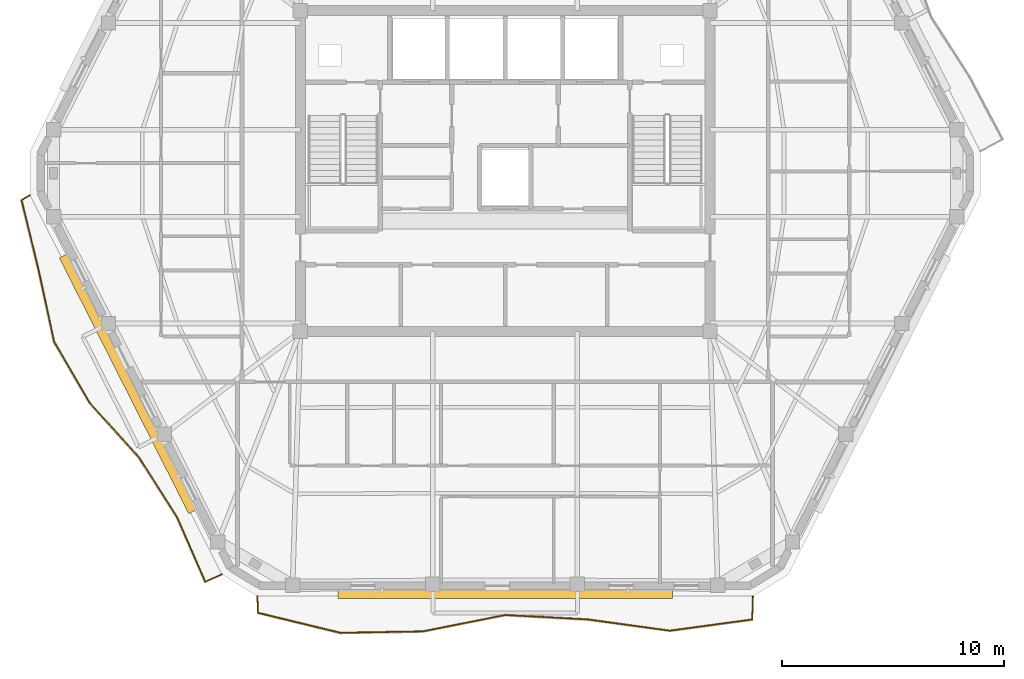
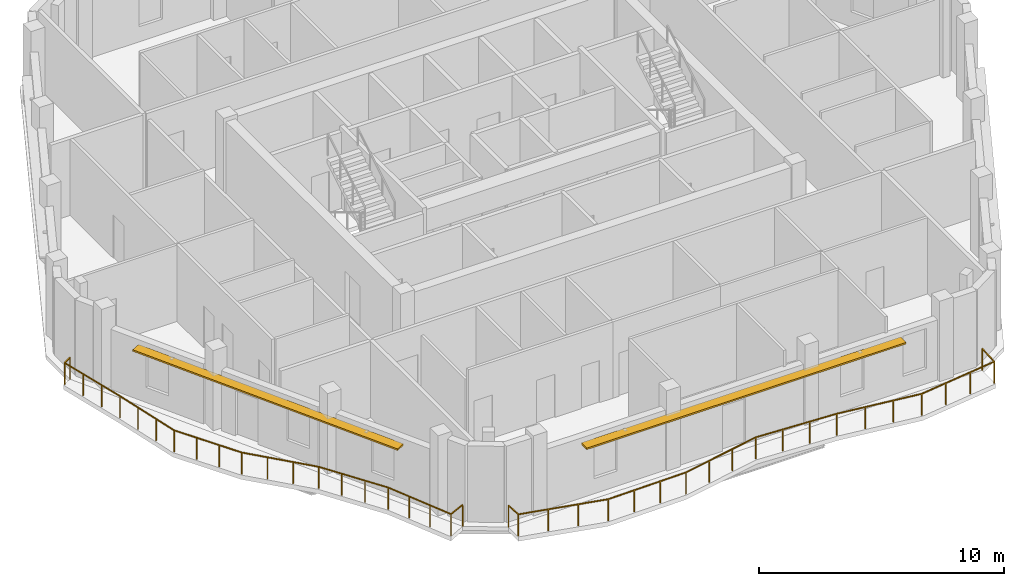
# One storey, part 9 of 11: 2 railings, 2 shading devices.
"""IFC4 building model written with IfcOpenShell, lengths in metres."""

from ifc_helpers import new_model, si_unit, direction, frame, origin, origin_2d, place, context, subcontext, project, spatial, rectangle, extrude, material, layer, layer_set, type_object, element, save


model = new_model("IFC4")

# Units and contexts
model_context = context("Model", 3, precision=1e-05, world=origin(), true_north=direction((0.0, 1.0)))
body_context = subcontext(model_context, "Body", "Model", "MODEL_VIEW")
ifc_project = project(units=[si_unit("LENGTHUNIT", "METRE"), si_unit("AREAUNIT", "SQUARE_METRE"), si_unit("VOLUMEUNIT", "CUBIC_METRE"), si_unit("PLANEANGLEUNIT", "RADIAN"), si_unit("MASSUNIT", "GRAM", prefix="KILO")], contexts=[model_context])

# Site, building, storey
site_placement = place(None, origin())
site = spatial("IfcSite", under=ifc_project, at=site_placement, CompositionType="ELEMENT")
building_placement = place(site_placement, origin())
building = spatial("IfcBuilding", under=site, at=building_placement, Name="Cinnabar Lancet Tower", CompositionType="ELEMENT")
storey_placement = place(building_placement, frame((0.0, 0.0, 291.5)))
storey = spatial("IfcBuildingStorey", under=building, at=storey_placement, Name="L77", CompositionType="ELEMENT", Elevation=291.5)

# Railings
ifc_material_1 = material(Name="Laminated safety glass and bronze stainless steel balustrade", Category="steel")
railing_type = type_object("IfcRailingType", Name="ENV-RLG-BAL-1100", PredefinedType="BALUSTRADE", material=ifc_material_1)
railing_1_placement = place(storey_placement, frame((21.236083984375, 6.75, 0.0)))
element("IfcRailing", 1, at=railing_1_placement, inside=storey, type_object=railing_type, Name="L77 Face 1 Wave Balcony Balustrade", PredefinedType="BALUSTRADE", context=body_context, shape_type="SweptSolid", body=[
    extrude(rectangle(XDim=0.048095703125, YDim=0.048095703125, at=origin_2d()), frame((0.0, 0.0, 1.076171875), z_axis=(0.045437316642, -0.998967191782, 0.0), x_axis=(0.998967191782, 0.045437316642, 0.0)), (0.0, 0.0, 1.0), 0.746826171875),
    extrude(rectangle(XDim=0.048095703125, YDim=0.048095703125, at=origin_2d()), frame((0.033935546875, -0.74609375, 1.076171875), z_axis=(0.971715992225, -0.236152557584, 0.0), x_axis=(0.236152557584, 0.971715992225, 0.0)), (0.0, 0.0, 1.0), 3.81884765625),
    extrude(rectangle(XDim=0.048095703125, YDim=0.048095703125, at=origin_2d()), frame((3.744873046875, -1.64794921875, 1.076171875), z_axis=(0.999846829575, 0.017501925287, 0.0), x_axis=(-0.017501925287, 0.999846829575, 0.0)), (0.0, 0.0, 1.0), 3.71044921875),
    extrude(rectangle(XDim=0.048095703125, YDim=0.048095703125, at=origin_2d()), frame((7.454833984375, -1.5830078125, 1.076171875), z_axis=(0.980721945134, 0.195408460237, 0.0), x_axis=(-0.195408460237, 0.980721945134, 0.0)), (0.0, 0.0, 1.0), 3.781982421875),
    extrude(rectangle(XDim=0.048095703125, YDim=0.048095703125, at=origin_2d()), frame((11.163818359375, -0.843994140625, 1.076171875), z_axis=(0.99856336192, -0.053583693703, 0.0), x_axis=(0.053583693703, 0.99856336192, 0.0)), (0.0, 0.0, 1.0), 3.71337890625),
    extrude(rectangle(XDim=0.048095703125, YDim=0.048095703125, at=origin_2d()), frame((14.871826171875, -1.04296875, 1.076171875), z_axis=(0.990759037003, -0.135633810671, 0.0), x_axis=(0.135633810671, 0.990759037003, 0.0)), (0.0, 0.0, 1.0), 3.745849609375),
    extrude(rectangle(XDim=0.048095703125, YDim=0.048095703125, at=origin_2d()), frame((18.5830078125, -1.551025390625, 1.076171875), z_axis=(0.990906177199, 0.134554628272, 0.0), x_axis=(-0.134554628272, 0.990906177199, 0.0)), (0.0, 0.0, 1.0), 3.744873046875),
    extrude(rectangle(XDim=0.048095703125, YDim=0.048095703125, at=origin_2d()), frame((22.2939453125, -1.047119140625, 1.076171875), z_axis=(0.032391480743, 0.999475258311, 0.0), x_axis=(-0.999475258311, 0.032391480743, 0.0)), (0.0, 0.0, 1.0), 1.047607421875),
    extrude(rectangle(XDim=0.0419921875, YDim=0.0419921875, at=origin_2d()), origin(), (0.0, 0.0, 1.0), 1.052001953125),
    extrude(rectangle(XDim=0.0419921875, YDim=0.0419921875, at=origin_2d()), frame((0.033935546875, -0.74609375, 0.0)), (0.0, 0.0, 1.0), 1.052001953125),
    extrude(rectangle(XDim=0.0419921875, YDim=0.0419921875, at=origin_2d()), frame((1.27099609375, -1.046630859375, 0.0)), (0.0, 0.0, 1.0), 1.052001953125),
    extrude(rectangle(XDim=0.0419921875, YDim=0.0419921875, at=origin_2d()), frame((2.5078125, -1.347412109375, 0.0)), (0.0, 0.0, 1.0), 1.052001953125),
    extrude(rectangle(XDim=0.0419921875, YDim=0.0419921875, at=origin_2d()), frame((3.744873046875, -1.64794921875, 0.0)), (0.0, 0.0, 1.0), 1.052001953125),
    extrude(rectangle(XDim=0.0419921875, YDim=0.0419921875, at=origin_2d()), frame((4.9814453125, -1.626220703125, 0.0)), (0.0, 0.0, 1.0), 1.052001953125),
    extrude(rectangle(XDim=0.0419921875, YDim=0.0419921875, at=origin_2d()), frame((6.21826171875, -1.604736328125, 0.0)), (0.0, 0.0, 1.0), 1.052001953125),
    extrude(rectangle(XDim=0.0419921875, YDim=0.0419921875, at=origin_2d()), frame((7.454833984375, -1.5830078125, 0.0)), (0.0, 0.0, 1.0), 1.052001953125),
    extrude(rectangle(XDim=0.0419921875, YDim=0.0419921875, at=origin_2d()), frame((8.691162109375, -1.336669921875, 0.0)), (0.0, 0.0, 1.0), 1.052001953125),
    extrude(rectangle(XDim=0.0419921875, YDim=0.0419921875, at=origin_2d()), frame((9.927490234375, -1.09033203125, 0.0)), (0.0, 0.0, 1.0), 1.052001953125),
    extrude(rectangle(XDim=0.0419921875, YDim=0.0419921875, at=origin_2d()), frame((11.163818359375, -0.843994140625, 0.0)), (0.0, 0.0, 1.0), 1.052001953125),
    extrude(rectangle(XDim=0.0419921875, YDim=0.0419921875, at=origin_2d()), frame((12.39990234375, -0.910400390625, 0.0)), (0.0, 0.0, 1.0), 1.052001953125),
    extrude(rectangle(XDim=0.0419921875, YDim=0.0419921875, at=origin_2d()), frame((13.6357421875, -0.9765625, 0.0)), (0.0, 0.0, 1.0), 1.052001953125),
    extrude(rectangle(XDim=0.0419921875, YDim=0.0419921875, at=origin_2d()), frame((14.871826171875, -1.04296875, 0.0)), (0.0, 0.0, 1.0), 1.052001953125),
    extrude(rectangle(XDim=0.0419921875, YDim=0.0419921875, at=origin_2d()), frame((16.10888671875, -1.21240234375, 0.0)), (0.0, 0.0, 1.0), 1.052001953125),
    extrude(rectangle(XDim=0.0419921875, YDim=0.0419921875, at=origin_2d()), frame((17.345947265625, -1.381591796875, 0.0)), (0.0, 0.0, 1.0), 1.052001953125),
    extrude(rectangle(XDim=0.0419921875, YDim=0.0419921875, at=origin_2d()), frame((18.5830078125, -1.551025390625, 0.0)), (0.0, 0.0, 1.0), 1.052001953125),
    extrude(rectangle(XDim=0.0419921875, YDim=0.0419921875, at=origin_2d()), frame((19.820068359375, -1.383056640625, 0.0)), (0.0, 0.0, 1.0), 1.052001953125),
    extrude(rectangle(XDim=0.0419921875, YDim=0.0419921875, at=origin_2d()), frame((21.056884765625, -1.215087890625, 0.0)), (0.0, 0.0, 1.0), 1.052001953125),
    extrude(rectangle(XDim=0.0419921875, YDim=0.0419921875, at=origin_2d()), frame((22.2939453125, -1.047119140625, 0.0)), (0.0, 0.0, 1.0), 1.052001953125),
    extrude(rectangle(XDim=0.0419921875, YDim=0.0419921875, at=origin_2d()), frame((22.327880859375, 0.0, 0.0)), (0.0, 0.0, 1.0), 1.052001953125),
])
railing_2_placement = place(storey_placement, frame((10.9970703125, 24.818115234375, 0.0)))
element("IfcRailing", 2, at=railing_2_placement, inside=storey, type_object=railing_type, Name="L77 Face 6 Wave Balcony Balustrade", PredefinedType="BALUSTRADE", context=body_context, shape_type="SweptSolid", body=[
    extrude(rectangle(XDim=0.048095703125, YDim=0.048095703125, at=origin_2d()), frame((0.0, 0.0, 1.076171875), z_axis=(-0.860926528214, -0.508729312127, 0.0), x_axis=(0.508729312127, -0.860926528214, 0.0)), (0.0, 0.0, 1.0), 0.436767578125),
    extrude(rectangle(XDim=0.048095703125, YDim=0.048095703125, at=origin_2d()), frame((-0.3759765625, -0.22216796875, 1.076171875), z_axis=(0.236622381389, -0.971601692375, 0.0), x_axis=(0.971601692375, 0.236622381389, 0.0)), (0.0, 0.0, 1.0), 3.2666015625),
    extrude(rectangle(XDim=0.048095703125, YDim=0.048095703125, at=origin_2d()), frame((0.39697265625, -3.39599609375, 1.076171875), z_axis=(0.211491988631, -0.97737973109, 0.0), x_axis=(0.97737973109, 0.211491988631, 0.0)), (0.0, 0.0, 1.0), 3.28662109375),
    extrude(rectangle(XDim=0.048095703125, YDim=0.048095703125, at=origin_2d()), frame((1.092041015625, -6.608154296875, 1.076171875), z_axis=(0.503299349482, -0.864112125138, 0.0), x_axis=(0.864112125138, 0.503299349482, 0.0)), (0.0, 0.0, 1.0), 3.18701171875),
    extrude(rectangle(XDim=0.048095703125, YDim=0.048095703125, at=origin_2d()), frame((2.696044921875, -9.362060546875, 1.076171875), z_axis=(0.670554559535, -0.741860217754, 0.0), x_axis=(0.741860217754, 0.670554559535, 0.0)), (0.0, 0.0, 1.0), 3.297119140625),
    extrude(rectangle(XDim=0.048095703125, YDim=0.048095703125, at=origin_2d()), frame((4.906982421875, -11.80810546875, 1.076171875), z_axis=(0.537181876132, -0.843466437954, 0.0), x_axis=(0.843466437954, 0.537181876132, 0.0)), (0.0, 0.0, 1.0), 3.1962890625),
    extrude(rectangle(XDim=0.048095703125, YDim=0.048095703125, at=origin_2d()), frame((6.6240234375, -14.504150390625, 1.076171875), z_axis=(0.399918722461, -0.916550607127, 0.0), x_axis=(0.916550607127, 0.399918722461, 0.0)), (0.0, 0.0, 1.0), 3.18798828125),
    extrude(rectangle(XDim=0.048095703125, YDim=0.048095703125, at=origin_2d()), frame((7.89892578125, -17.426025390625, 1.076171875), z_axis=(0.909371134711, 0.415985744173, 0.0), x_axis=(-0.415985744173, 0.909371134711, 0.0)), (0.0, 0.0, 1.0), 0.81689453125),
    extrude(rectangle(XDim=0.0419921875, YDim=0.0419921875, at=origin_2d()), origin(), (0.0, 0.0, 1.0), 1.052001953125),
    extrude(rectangle(XDim=0.0419921875, YDim=0.0419921875, at=origin_2d()), frame((-0.3759765625, -0.22216796875, 0.0)), (0.0, 0.0, 1.0), 1.052001953125),
    extrude(rectangle(XDim=0.0419921875, YDim=0.0419921875, at=origin_2d()), frame((-0.118408203125, -1.280029296875, 0.0)), (0.0, 0.0, 1.0), 1.052001953125),
    extrude(rectangle(XDim=0.0419921875, YDim=0.0419921875, at=origin_2d()), frame((0.139404296875, -2.338134765625, 0.0)), (0.0, 0.0, 1.0), 1.052001953125),
    extrude(rectangle(XDim=0.0419921875, YDim=0.0419921875, at=origin_2d()), frame((0.39697265625, -3.39599609375, 0.0)), (0.0, 0.0, 1.0), 1.052001953125),
    extrude(rectangle(XDim=0.0419921875, YDim=0.0419921875, at=origin_2d()), frame((0.628662109375, -4.466796875, 0.0)), (0.0, 0.0, 1.0), 1.052001953125),
    extrude(rectangle(XDim=0.0419921875, YDim=0.0419921875, at=origin_2d()), frame((0.8603515625, -5.537353515625, 0.0)), (0.0, 0.0, 1.0), 1.052001953125),
    extrude(rectangle(XDim=0.0419921875, YDim=0.0419921875, at=origin_2d()), frame((1.092041015625, -6.608154296875, 0.0)), (0.0, 0.0, 1.0), 1.052001953125),
    extrude(rectangle(XDim=0.0419921875, YDim=0.0419921875, at=origin_2d()), frame((1.626708984375, -7.526123046875, 0.0)), (0.0, 0.0, 1.0), 1.052001953125),
    extrude(rectangle(XDim=0.0419921875, YDim=0.0419921875, at=origin_2d()), frame((2.161376953125, -8.444091796875, 0.0)), (0.0, 0.0, 1.0), 1.052001953125),
    extrude(rectangle(XDim=0.0419921875, YDim=0.0419921875, at=origin_2d()), frame((2.696044921875, -9.362060546875, 0.0)), (0.0, 0.0, 1.0), 1.052001953125),
    extrude(rectangle(XDim=0.0419921875, YDim=0.0419921875, at=origin_2d()), frame((3.43310546875, -10.177490234375, 0.0)), (0.0, 0.0, 1.0), 1.052001953125),
    extrude(rectangle(XDim=0.0419921875, YDim=0.0419921875, at=origin_2d()), frame((4.169921875, -10.99267578125, 0.0)), (0.0, 0.0, 1.0), 1.052001953125),
    extrude(rectangle(XDim=0.0419921875, YDim=0.0419921875, at=origin_2d()), frame((4.906982421875, -11.80810546875, 0.0)), (0.0, 0.0, 1.0), 1.052001953125),
    extrude(rectangle(XDim=0.0419921875, YDim=0.0419921875, at=origin_2d()), frame((5.479248046875, -12.706787109375, 0.0)), (0.0, 0.0, 1.0), 1.052001953125),
    extrude(rectangle(XDim=0.0419921875, YDim=0.0419921875, at=origin_2d()), frame((6.0517578125, -13.60546875, 0.0)), (0.0, 0.0, 1.0), 1.052001953125),
    extrude(rectangle(XDim=0.0419921875, YDim=0.0419921875, at=origin_2d()), frame((6.6240234375, -14.504150390625, 0.0)), (0.0, 0.0, 1.0), 1.052001953125),
    extrude(rectangle(XDim=0.0419921875, YDim=0.0419921875, at=origin_2d()), frame((7.049072265625, -15.47802734375, 0.0)), (0.0, 0.0, 1.0), 1.052001953125),
    extrude(rectangle(XDim=0.0419921875, YDim=0.0419921875, at=origin_2d()), frame((7.473876953125, -16.4521484375, 0.0)), (0.0, 0.0, 1.0), 1.052001953125),
    extrude(rectangle(XDim=0.0419921875, YDim=0.0419921875, at=origin_2d()), frame((7.89892578125, -17.426025390625, 0.0)), (0.0, 0.0, 1.0), 1.052001953125),
    extrude(rectangle(XDim=0.0419921875, YDim=0.0419921875, at=origin_2d()), frame((8.641845703125, -17.086181640625, 0.0)), (0.0, 0.0, 1.0), 1.052001953125),
])

# Shading devices
ifc_material_2 = material(Name="Pale limestone architectural aluminium sunshade", Category="masonry")
ifc_layer = layer(ifc_material_2, 0.080078125)
ifc_layer_set = layer_set([ifc_layer], Name="Pale limestone architectural aluminium sunshade")
shading_device_type = type_object("IfcShadingDeviceType", Name="ENV-SHD-LVR-450", PredefinedType="JALOUSIE", material=ifc_layer_set)
shading_device_1_placement = place(storey_placement, frame((32.39990234375, 6.8798828125, 2.639892578125), z_axis=(0.0, 0.0, 1.0), x_axis=(1.0, 0.0, 0.0)))
element("IfcShadingDevice", 3, at=shading_device_1_placement, inside=storey, type_object=shading_device_type, Name="L77 Face 1 Horizontal Sunshade Canopy", PredefinedType="JALOUSIE", context=body_context, shape_type="SweptSolid", body=[
    extrude(rectangle(XDim=15.06103515625, YDim=0.449951171875, at=origin_2d()), origin(), (0.0, 0.0, 1.0), 0.080078125),
])
shading_device_2_placement = place(storey_placement, frame((15.43603515625, 16.330078125, 2.639892578125), z_axis=(0.0, 0.0, 1.0), x_axis=(0.451375984307, -0.89233386173, 0.0)))
element("IfcShadingDevice", 4, at=shading_device_2_placement, inside=storey, type_object=shading_device_type, Name="L77 Face 6 Horizontal Sunshade Canopy", PredefinedType="JALOUSIE", context=body_context, shape_type="SweptSolid", body=[
    extrude(rectangle(XDim=12.912109375, YDim=0.449951171875, at=origin_2d()), origin(), (0.0, 0.0, 1.0), 0.080078125),
])

save(model, "model.ifc")
